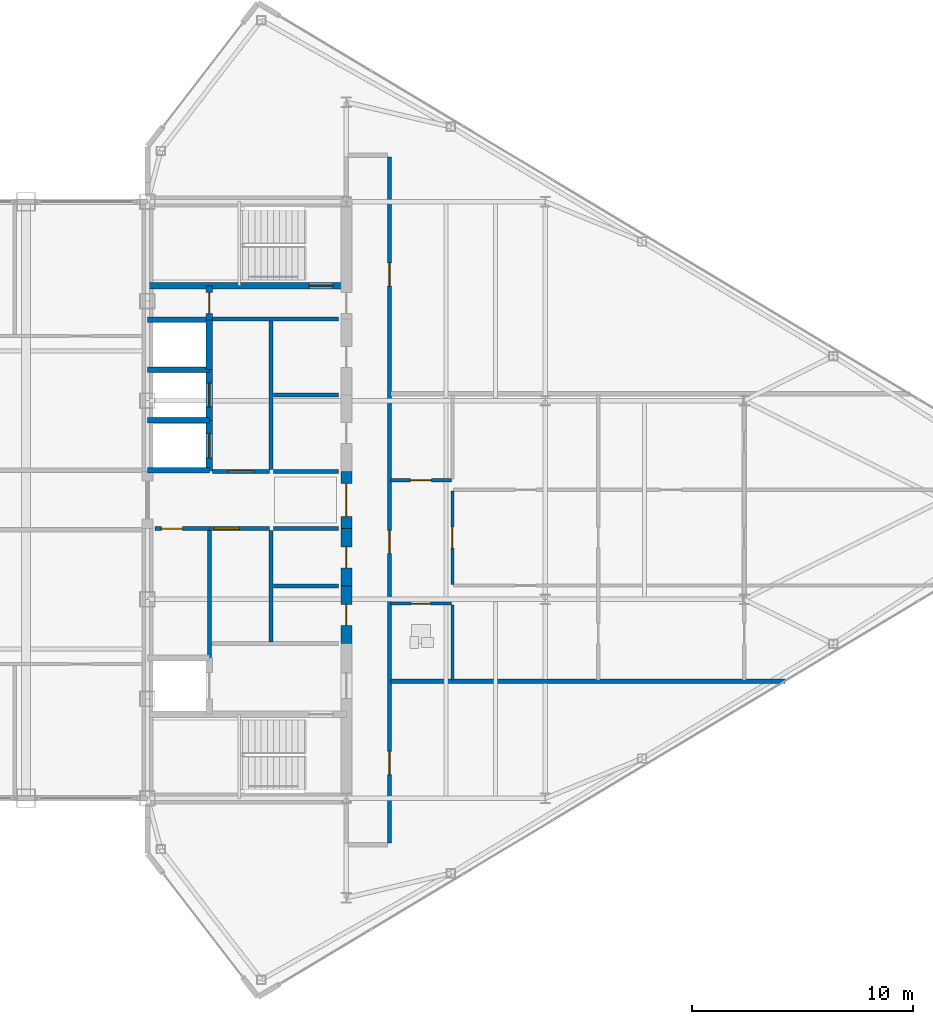
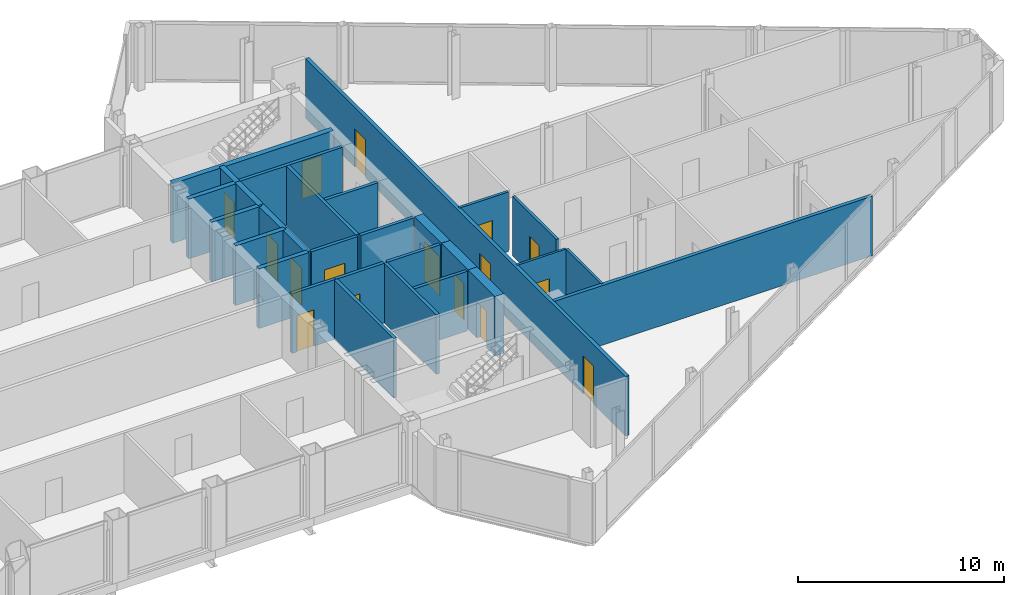
# One storey, part 25 of 29: 29 walls, 16 doors, 16 openings.
"""IFC4 building model written with IfcOpenShell, lengths in metres."""

from ifc_helpers import new_model, si_unit, direction, frame, frame_2d, origin, place, context, subcontext, project, spatial, rectangle, extrude, source, transform, mapped, material, layer, layer_set, type_object, type_shapes, element, fill, save


model = new_model("IFC4")

# Units and contexts
model_context = context("Model", 3, precision=1e-05, world=origin(), true_north=direction((0.0, 1.0)))
body_context = subcontext(model_context, "Body", "Model", "MODEL_VIEW")
ifc_project = project(units=[si_unit("LENGTHUNIT", "METRE"), si_unit("AREAUNIT", "SQUARE_METRE"), si_unit("VOLUMEUNIT", "CUBIC_METRE"), si_unit("PLANEANGLEUNIT", "RADIAN"), si_unit("MASSUNIT", "GRAM", prefix="KILO")], contexts=[model_context])

# Site, building, storey
site_placement = place(None, origin())
site = spatial("IfcSite", under=ifc_project, at=site_placement, CompositionType="ELEMENT")
building_placement = place(site_placement, origin())
building = spatial("IfcBuilding", under=site, at=building_placement, Name="Seokmaru Belvedere", CompositionType="ELEMENT")
storey_placement = place(building_placement, frame((0.0, 0.0, 254.39990234375)))
storey = spatial("IfcBuildingStorey", under=building, at=storey_placement, Name="L67", CompositionType="ELEMENT", Elevation=254.39990234375)

# Wall, opening, door
ifc_material_1 = material(Name="Fire-Rated Gypsum Shaftwall")
ifc_layer_1 = layer(ifc_material_1, 0.14990234375)
ifc_layer_set_1 = layer_set([ifc_layer_1], Name="Fire-Rated Gypsum Shaftwall")
wall_type_1 = type_object("IfcWallType", Name="Apartment Fire-Acoustic Room Partition 150", PredefinedType="PARTITIONING", material=ifc_layer_set_1)
wall_1_placement = place(storey_placement, frame((38.5, 0.89990234375, 0.0), z_axis=(0.0, 0.0, 1.0), x_axis=(1.0, 0.0, 0.0)))
wall_1 = element("IfcWall", 1, at=wall_1_placement, inside=storey, type_object=wall_type_1, Name="L67 Interior Partition 017", PredefinedType="PARTITIONING", context=body_context, shape_type="SweptSolid", body=[
    extrude(rectangle(XDim=2.75, YDim=0.14990234375, at=frame_2d((1.375, 0.0))), origin(), (0.0, 0.0, 1.0), 3.530029296875),
])
opening_1_placement = place(wall_1_placement, frame((0.89990234375, 0.0, 0.0)))
opening_1 = element("IfcOpeningElement", 2, at=opening_1_placement, cuts=wall_1, Name="Opening D05", PredefinedType="OPENING", context=body_context, shape_type="SweptSolid", body=[
    extrude(rectangle(XDim=0.949951171875, YDim=2.14990234375, at=frame_2d((0.47509765625, 1.074951171875))), frame((0.0, 0.0849609375, 0.0), z_axis=(0.0, -1.0, 0.0), x_axis=(1.0, 0.0, 0.0)), (0.0, 0.0, 1.0), 0.169921875),
])
ifc_material_2 = material(Name="Engineered White Oak Timber", Category="wood")
door_type_1 = type_object("IfcDoorType", Name="Apartment Interior Fire-Rated Oak Door 950x2150", OperationType="NOTDEFINED", PredefinedType="DOOR", material=ifc_material_2)
shared_shape_1 = source(origin(), body_context, "Body", "SweptSolid", [
    extrude(rectangle(XDim=0.949951171875, YDim=2.14990234375, at=frame_2d((0.47509765625, 1.074951171875))), frame((0.0, 0.02490234375, 0.0), z_axis=(0.0, -1.0, 0.0), x_axis=(1.0, 0.0, 0.0)), (0.0, 0.0, 1.0), 0.050048828125),
])
type_shapes(door_type_1, [shared_shape_1])
door_1_placement = place(opening_1_placement, origin())
door_1 = element("IfcDoor", 3, at=door_1_placement, inside=storey, type_object=door_type_1, Name="L67 Interior Door 015", OperationType="SINGLE_SWING_RIGHT", OverallHeight=2.14990234375, OverallWidth=0.949951171875, PredefinedType="DOOR", context=body_context, shape_type="MappedRepresentation", body=[
    mapped(shared_shape_1, transform((0.0, 0.0, 0.0), scale=1.0)),
])
fill(opening_1, door_1)

wall_2_placement = place(storey_placement, frame((41.300048828125, -3.81689453125, 0.0), z_axis=(0.0, 0.0, 1.0), x_axis=(0.0, 1.0, 0.0)))
wall_2 = element("IfcWall", 4, at=wall_2_placement, inside=storey, type_object=wall_type_1, Name="L67 Interior Partition 052", PredefinedType="PARTITIONING", context=body_context, shape_type="SweptSolid", body=[
    extrude(rectangle(XDim=4.23388671875, YDim=0.14990234375, at=frame_2d((2.116943359375, 0.0))), origin(), (0.0, 0.0, 1.0), 3.530029296875),
])
opening_2_placement = place(wall_2_placement, frame((1.64208984375, 0.0, 0.0)))
opening_2 = element("IfcOpeningElement", 5, at=opening_2_placement, cuts=wall_2, Name="Opening D05", PredefinedType="OPENING", context=body_context, shape_type="SweptSolid", body=[
    extrude(rectangle(XDim=0.949951171875, YDim=2.14990234375, at=frame_2d((0.47509765625, 1.074951171875))), frame((0.0, 0.0849609375, 0.0), z_axis=(0.0, -1.0, 0.0), x_axis=(1.0, 0.0, 0.0)), (0.0, 0.0, 1.0), 0.169921875),
])
door_2_placement = place(opening_2_placement, origin())
door_2 = element("IfcDoor", 6, at=door_2_placement, inside=storey, type_object=door_type_1, Name="L67 Interior Door 016", OperationType="SINGLE_SWING_LEFT", OverallHeight=2.14990234375, OverallWidth=0.949951171875, PredefinedType="DOOR", context=body_context, shape_type="MappedRepresentation", body=[
    mapped(shared_shape_1, transform((0.0, 0.0, 0.0), scale=1.0)),
])
fill(opening_2, door_2)

# Walls
ifc_layer_2 = layer(ifc_material_1, 0.179931640625)
ifc_layer_set_2 = layer_set([ifc_layer_2], Name="Fire-Rated Gypsum Shaftwall")
wall_type_2 = type_object("IfcWallType", Name="Core Service Fire Partition 180", PredefinedType="PARTITIONING", material=ifc_layer_set_2)
wall_3_placement = place(storey_placement, frame((30.449951171875, 8.199951171875, 0.0), z_axis=(0.0, 0.0, 1.0), x_axis=(1.0, 0.0, 0.0)))
element("IfcWall", 7, at=wall_3_placement, inside=storey, type_object=wall_type_2, Name="L67 East Smokeproof Vestibule Partition", PredefinedType="PARTITIONING", context=body_context, shape_type="SweptSolid", body=[
    extrude(rectangle(XDim=5.699951171875, YDim=0.179931640625, at=frame_2d((2.85009765625, 0.0))), origin(), (0.0, 0.0, 1.0), 3.530029296875),
])
wall_4_placement = place(storey_placement, frame((33.10009765625, -6.419921875, 0.0), z_axis=(0.0, 0.0, 1.0), x_axis=(0.0, 1.0, 0.0)))
element("IfcWall", 8, at=wall_4_placement, inside=storey, type_object=wall_type_2, Name="L67 East South Core Service Back Wall", PredefinedType="PARTITIONING", context=body_context, shape_type="SweptSolid", body=[
    extrude(rectangle(XDim=5.0400390625, YDim=0.179931640625, at=frame_2d((2.52001953125, 0.0))), origin(), (0.0, 0.0, 1.0), 3.530029296875),
])
wall_5_placement = place(storey_placement, frame((33.10009765625, 1.3798828125, 0.0), z_axis=(0.0, 0.0, 1.0), x_axis=(0.0, 1.0, 0.0)))
element("IfcWall", 9, at=wall_5_placement, inside=storey, type_object=wall_type_2, Name="L67 East North Core Service Back Wall", PredefinedType="PARTITIONING", context=body_context, shape_type="SweptSolid", body=[
    extrude(rectangle(XDim=6.740234375, YDim=0.179931640625, at=frame_2d((3.3701171875, 0.0))), origin(), (0.0, 0.0, 1.0), 3.530029296875),
])

# Wall, opening, door
wall_6_placement = place(storey_placement, frame((27.85009765625, -1.300048828125, 0.0), z_axis=(0.0, 0.0, 1.0), x_axis=(1.0, 0.0, 0.0)))
wall_6 = element("IfcWall", 10, at=wall_6_placement, inside=storey, type_object=wall_type_2, Name="L67 East South Parcel Vault Foyer Wall", PredefinedType="PARTITIONING", context=body_context, shape_type="SweptSolid", body=[
    extrude(rectangle(XDim=2.449951171875, YDim=0.179931640625, at=frame_2d((1.22509765625, 0.0))), origin(), (0.0, 0.0, 1.0), 3.530029296875),
])
opening_3_placement = place(wall_6_placement, frame((0.27490234375, 0.0, 0.0)))
opening_3 = element("IfcOpeningElement", 11, at=opening_3_placement, cuts=wall_6, Name="Opening D04", PredefinedType="OPENING", context=body_context, shape_type="SweptSolid", body=[
    extrude(rectangle(XDim=0.949951171875, YDim=2.14990234375, at=frame_2d((0.47509765625, 1.074951171875))), frame((0.0, 0.10009765625, 0.0), z_axis=(0.0, -1.0, 0.0), x_axis=(1.0, 0.0, 0.0)), (0.0, 0.0, 1.0), 0.199951171875),
])
ifc_material_3 = material(Name="Fire-Rated Steel Leaf", Category="steel")
door_type_2 = type_object("IfcDoorType", Name="Core Service Room Fire Door 950x2150", OperationType="NOTDEFINED", PredefinedType="DOOR", material=ifc_material_3)
shared_shape_2 = source(origin(), body_context, "Body", "SweptSolid", [
    extrude(rectangle(XDim=0.949951171875, YDim=2.14990234375, at=frame_2d((0.47509765625, 1.074951171875))), frame((0.0, 0.02490234375, 0.0), z_axis=(0.0, -1.0, 0.0), x_axis=(1.0, 0.0, 0.0)), (0.0, 0.0, 1.0), 0.050048828125),
])
type_shapes(door_type_2, [shared_shape_2])
door_3_placement = place(opening_3_placement, origin())
door_3 = element("IfcDoor", 12, at=door_3_placement, inside=storey, type_object=door_type_2, Name="L67 East South Parcel Vault Door", OperationType="SINGLE_SWING_RIGHT", OverallHeight=2.14990234375, OverallWidth=0.949951171875, PredefinedType="DOOR", context=body_context, shape_type="MappedRepresentation", body=[
    mapped(shared_shape_2, transform((0.0, 0.0, 0.0), scale=1.0)),
])
fill(opening_3, door_3)

wall_7_placement = place(storey_placement, frame((30.300048828125, -1.300048828125, 0.0), z_axis=(0.0, 0.0, 1.0), x_axis=(1.0, 0.0, 0.0)))
wall_7 = element("IfcWall", 13, at=wall_7_placement, inside=storey, type_object=wall_type_2, Name="L67 East South Wine Cellar Foyer Wall", PredefinedType="PARTITIONING", context=body_context, shape_type="SweptSolid", body=[
    extrude(rectangle(XDim=2.719970703125, YDim=0.179931640625, at=frame_2d((1.35986328125, 0.0))), origin(), (0.0, 0.0, 1.0), 3.530029296875),
])
opening_4_placement = place(wall_7_placement, frame((0.2099609375, 0.0, 0.0)))
opening_4 = element("IfcOpeningElement", 14, at=opening_4_placement, cuts=wall_7, Name="Opening D02", PredefinedType="OPENING", context=body_context, shape_type="SweptSolid", body=[
    extrude(rectangle(XDim=1.14990234375, YDim=2.199951171875, at=frame_2d((0.574951171875, 1.10009765625))), frame((0.0, 0.10009765625, 0.0), z_axis=(0.0, -1.0, 0.0), x_axis=(1.0, 0.0, 0.0)), (0.0, 0.0, 1.0), 0.199951171875),
])
door_type_3 = type_object("IfcDoorType", Name="Lobby and Vestibule Fire Door 1150x2200", OperationType="NOTDEFINED", PredefinedType="DOOR", material=ifc_material_3)
shared_shape_3 = source(origin(), body_context, "Body", "SweptSolid", [
    extrude(rectangle(XDim=1.14990234375, YDim=2.199951171875, at=frame_2d((0.574951171875, 1.10009765625))), frame((0.0, 0.02490234375, 0.0), z_axis=(0.0, -1.0, 0.0), x_axis=(1.0, 0.0, 0.0)), (0.0, 0.0, 1.0), 0.050048828125),
])
type_shapes(door_type_3, [shared_shape_3])
door_4_placement = place(opening_4_placement, origin())
door_4 = element("IfcDoor", 15, at=door_4_placement, inside=storey, type_object=door_type_3, Name="L67 East South Core Foyer Door", OperationType="SINGLE_SWING_RIGHT", OverallHeight=2.199951171875, OverallWidth=1.14990234375, PredefinedType="DOOR", context=body_context, shape_type="MappedRepresentation", body=[
    mapped(shared_shape_3, transform((0.0, 0.0, 0.0), scale=1.0)),
])
fill(opening_4, door_4)

# Wall
wall_8_placement = place(storey_placement, frame((30.300048828125, -7.1201171875, 0.0), z_axis=(0.0, 0.0, 1.0), x_axis=(0.0, 1.0, 0.0)))
element("IfcWall", 16, at=wall_8_placement, inside=storey, type_object=wall_type_2, Name="L67 East Freed Shaft Vault Partition", PredefinedType="PARTITIONING", context=body_context, shape_type="SweptSolid", body=[
    extrude(rectangle(XDim=5.740234375, YDim=0.179931640625, at=frame_2d((2.8701171875, 0.0))), origin(), (0.0, 0.0, 1.0), 3.530029296875),
])

# Wall, opening, door
wall_9_placement = place(storey_placement, frame((30.449951171875, 1.300048828125, 0.0), z_axis=(0.0, 0.0, 1.0), x_axis=(1.0, 0.0, 0.0)))
wall_9 = element("IfcWall", 17, at=wall_9_placement, inside=storey, type_object=wall_type_2, Name="L67 East North Lift Lobby Foyer Wall", PredefinedType="PARTITIONING", context=body_context, shape_type="SweptSolid", body=[
    extrude(rectangle(XDim=2.570068359375, YDim=0.179931640625, at=frame_2d((1.28515625, 0.0))), origin(), (0.0, 0.0, 1.0), 3.530029296875),
])
opening_5_placement = place(wall_9_placement, frame((0.7099609375, 0.0, 0.0)))
opening_5 = element("IfcOpeningElement", 18, at=opening_5_placement, cuts=wall_9, Name="Opening D02", PredefinedType="OPENING", context=body_context, shape_type="SweptSolid", body=[
    extrude(rectangle(XDim=1.14990234375, YDim=2.199951171875, at=frame_2d((0.574951171875, 1.10009765625))), frame((0.0, 0.10009765625, 0.0), z_axis=(0.0, -1.0, 0.0), x_axis=(1.0, 0.0, 0.0)), (0.0, 0.0, 1.0), 0.199951171875),
])
door_5_placement = place(opening_5_placement, origin())
door_5 = element("IfcDoor", 19, at=door_5_placement, inside=storey, type_object=door_type_3, Name="L67 East North Lift Lobby Door", OperationType="SINGLE_SWING_LEFT", OverallHeight=2.199951171875, OverallWidth=1.14990234375, PredefinedType="DOOR", context=body_context, shape_type="MappedRepresentation", body=[
    mapped(shared_shape_3, transform((0.0, 0.0, 0.0), scale=1.0)),
])
fill(opening_5, door_5)

# Walls
for number, where, z_axis, x_axis, name in (
    (20, (33.199951171875, -1.300048828125, 0.0), (0.0, 0.0, 1.0), (1.0, 0.0, 0.0), "L67 East Foyer Side Wall S"),
    (21, (33.199951171875, 1.300048828125, 0.0), (0.0, 0.0, 1.0), (1.0, 0.0, 0.0), "L67 East Foyer Side Wall N"),
    (22, (33.199951171875, -3.89990234375, 0.0), (0.0, 0.0, 1.0), (1.0, 0.0, 0.0), "L67 East Core Service Partition 1"),
    (23, (33.199951171875, 4.75, 0.0), (0.0, 0.0, 1.0), (1.0, 0.0, 0.0), "L67 East Core Service Partition 2"),
):
    element("IfcWall", number, at=place(storey_placement, frame(where, z_axis=z_axis, x_axis=x_axis)), inside=storey, type_object=wall_type_2, Name=name, PredefinedType="PARTITIONING", context=body_context, shape_type="SweptSolid", body=[
        extrude(rectangle(XDim=2.949951171875, YDim=0.179931640625, at=frame_2d((1.47509765625, 0.0))), origin(), (0.0, 0.0, 1.0), 3.530029296875),
    ])
ifc_material_4 = material(Name="Concrete C50 (50 MPa)", Category="concrete")
ifc_layer_3 = layer(ifc_material_4, 0.25)
ifc_layer_set_3 = layer_set([ifc_layer_3], Name="Concrete C50 (50 MPa)")
wall_type_3 = type_object("IfcWallType", Name="Hoistway Transverse Concrete Divider Wall 250", PredefinedType="SHEAR", material=ifc_layer_set_3)
for number, where, z_axis, x_axis, name in (
    (24, (27.5, 1.35009765625, 0.0), (0.0, 0.0, 1.0), (1.0, 0.0, 0.0), "L67 East Hoistway Divider Core Wall 2"),
    (25, (27.5, 3.60009765625, 0.0), (0.0, 0.0, 1.0), (1.0, 0.0, 0.0), "L67 East Hoistway Divider Core Wall 3"),
    (26, (27.5, 5.89990234375, 0.0), (0.0, 0.0, 1.0), (1.0, 0.0, 0.0), "L67 East Hoistway Divider Core Wall 4"),
    (27, (27.5, 8.14990234375, 0.0), (0.0, 0.0, 1.0), (1.0, 0.0, 0.0), "L67 East Hoistway Divider Core Wall 5"),
):
    element("IfcWall", number, at=place(storey_placement, frame(where, z_axis=z_axis, x_axis=x_axis)), inside=storey, type_object=wall_type_3, Name=name, PredefinedType="SHEAR", context=body_context, shape_type="SweptSolid", body=[
        extrude(rectangle(XDim=2.800048828125, YDim=0.25, at=frame_2d((1.39990234375, 0.0))), origin(), (0.0, 0.0, 1.0), 3.530029296875),
    ])
ifc_layer_4 = layer(ifc_material_1, 0.199951171875)
ifc_layer_set_4 = layer_set([ifc_layer_4], Name="Fire-Rated Gypsum Shaftwall")
wall_type_4 = type_object("IfcWallType", Name="Inter-Tenancy Fire Compartment Partition 200", PredefinedType="PARTITIONING", material=ifc_layer_set_4)
wall_10_placement = place(storey_placement, frame((38.530029296875, -8.199951171875, 0.0), z_axis=(0.0, 0.0, 1.0), x_axis=(1.0, 0.0, 0.0)))
element("IfcWall", 28, at=wall_10_placement, inside=storey, type_object=wall_type_4, Name="L67 Interior Partition 004", PredefinedType="PARTITIONING", context=body_context, shape_type="SweptSolid", body=[
    extrude(rectangle(XDim=17.81298828125, YDim=0.199951171875, at=frame_2d((8.906494140625, 0.0))), origin(), (0.0, 0.0, 1.0), 3.530029296875),
])

# Wall, openings, doors
wall_11_placement = place(storey_placement, frame((38.449951171875, -15.514892578125, 0.0), z_axis=(0.0, 0.0, 1.0), x_axis=(0.0, 1.0, 0.0)))
wall_11 = element("IfcWall", 29, at=wall_11_placement, inside=storey, type_object=wall_type_4, Name="L67 Interior Partition 050", PredefinedType="PARTITIONING", context=body_context, shape_type="SweptSolid", body=[
    extrude(rectangle(XDim=31.02978515625, YDim=0.199951171875, at=frame_2d((15.514892578125, 0.0))), origin(), (0.0, 0.0, 1.0), 3.530029296875),
])
opening_6_placement = place(wall_11_placement, frame((3.090087890625, 0.0, 0.0)))
opening_6 = element("IfcOpeningElement", 30, at=opening_6_placement, cuts=wall_11, Name="Opening D03", PredefinedType="OPENING", context=body_context, shape_type="SweptSolid", body=[
    extrude(rectangle(XDim=1.050048828125, YDim=2.25, at=frame_2d((0.52490234375, 1.125))), frame((0.0, 0.10986328125, 0.0), z_axis=(0.0, -1.0, 0.0), x_axis=(1.0, 0.0, 0.0)), (0.0, 0.0, 1.0), 0.219970703125),
])
opening_7_placement = place(wall_11_placement, frame((13.094970703125, 0.0, 0.0)))
opening_7 = element("IfcOpeningElement", 31, at=opening_7_placement, cuts=wall_11, Name="Opening D03", PredefinedType="OPENING", context=body_context, shape_type="SweptSolid", body=[
    extrude(rectangle(XDim=1.050048828125, YDim=2.25, at=frame_2d((0.52490234375, 1.125))), frame((0.0, 0.10986328125, 0.0), z_axis=(0.0, -1.0, 0.0), x_axis=(1.0, 0.0, 0.0)), (0.0, 0.0, 1.0), 0.219970703125),
])
opening_8_placement = place(wall_11_placement, frame((25.18994140625, 0.0, 0.0)))
opening_8 = element("IfcOpeningElement", 32, at=opening_8_placement, cuts=wall_11, Name="Opening D03", PredefinedType="OPENING", context=body_context, shape_type="SweptSolid", body=[
    extrude(rectangle(XDim=1.050048828125, YDim=2.25, at=frame_2d((0.52490234375, 1.125))), frame((0.0, 0.10986328125, 0.0), z_axis=(0.0, -1.0, 0.0), x_axis=(1.0, 0.0, 0.0)), (0.0, 0.0, 1.0), 0.219970703125),
])
door_type_4 = type_object("IfcDoorType", Name="Apartment Entrance Fire Door 1050x2250", OperationType="NOTDEFINED", PredefinedType="DOOR", material=ifc_material_3)
shared_shape_4 = source(origin(), body_context, "Body", "SweptSolid", [
    extrude(rectangle(XDim=1.050048828125, YDim=2.25, at=frame_2d((0.52490234375, 1.125))), frame((0.0, 0.02490234375, 0.0), z_axis=(0.0, -1.0, 0.0), x_axis=(1.0, 0.0, 0.0)), (0.0, 0.0, 1.0), 0.050048828125),
])
type_shapes(door_type_4, [shared_shape_4])
door_6_placement = place(opening_6_placement, origin())
door_6 = element("IfcDoor", 33, at=door_6_placement, inside=storey, type_object=door_type_4, Name="L67 Interior Door 012", OperationType="SINGLE_SWING_LEFT", OverallHeight=2.25, OverallWidth=1.050048828125, PredefinedType="DOOR", context=body_context, shape_type="MappedRepresentation", body=[
    mapped(shared_shape_4, transform((0.0, 0.0, 0.0), scale=1.0)),
])
fill(opening_6, door_6)
door_7_placement = place(opening_7_placement, origin())
door_7 = element("IfcDoor", 34, at=door_7_placement, inside=storey, type_object=door_type_4, Name="L67 Interior Door 013", OperationType="SINGLE_SWING_RIGHT", OverallHeight=2.25, OverallWidth=1.050048828125, PredefinedType="DOOR", context=body_context, shape_type="MappedRepresentation", body=[
    mapped(shared_shape_4, transform((0.0, 0.0, 0.0), scale=1.0)),
])
fill(opening_7, door_7)
door_8_placement = place(opening_8_placement, origin())
door_8 = element("IfcDoor", 35, at=door_8_placement, inside=storey, type_object=door_type_4, Name="L67 Interior Door 025", OperationType="SINGLE_SWING_LEFT", OverallHeight=2.25, OverallWidth=1.050048828125, PredefinedType="DOOR", context=body_context, shape_type="MappedRepresentation", body=[
    mapped(shared_shape_4, transform((0.0, 0.0, 0.0), scale=1.0)),
])
fill(opening_8, door_8)

# Wall, opening, door
ifc_layer_5 = layer(ifc_material_4, 0.300048828125)
ifc_layer_set_5 = layer_set([ifc_layer_5], Name="Concrete C50 (50 MPa)")
wall_type_5 = type_object("IfcWallType", Name="Internal Core Stair and Hoistway Wall 300", PredefinedType="SHEAR", material=ifc_layer_set_5)
wall_12_placement = place(storey_placement, frame((27.5, 9.699951171875, 0.0), z_axis=(0.0, 0.0, 1.0), x_axis=(1.0, 0.0, 0.0)))
wall_12 = element("IfcWall", 36, at=wall_12_placement, inside=storey, type_object=wall_type_5, Name="L67 East Stair ST-2 Enclosure Wall", PredefinedType="SHEAR", context=body_context, shape_type="SweptSolid", body=[
    extrude(rectangle(XDim=9.0, YDim=0.300048828125, at=frame_2d((4.5, 0.0))), origin(), (0.0, 0.0, 1.0), 3.530029296875),
])
opening_9_placement = place(wall_12_placement, frame((7.300048828125, 0.0, 0.0)))
opening_9 = element("IfcOpeningElement", 37, at=opening_9_placement, cuts=wall_12, Name="Opening D01", PredefinedType="OPENING", context=body_context, shape_type="SweptSolid", body=[
    extrude(rectangle(XDim=1.10009765625, YDim=2.199951171875, at=frame_2d((0.550048828125, 1.10009765625))), frame((0.0, 0.16015625, 0.0), z_axis=(0.0, -1.0, 0.0), x_axis=(1.0, 0.0, 0.0)), (0.0, 0.0, 1.0), 0.320068359375),
])
door_type_5 = type_object("IfcDoorType", Name="Special Escape Stair Smokeproof Fire Door 1100x2200", OperationType="NOTDEFINED", PredefinedType="DOOR", material=ifc_material_3)
shared_shape_5 = source(origin(), body_context, "Body", "SweptSolid", [
    extrude(rectangle(XDim=1.10009765625, YDim=2.199951171875, at=frame_2d((0.550048828125, 1.10009765625))), frame((0.0, 0.02490234375, 0.0), z_axis=(0.0, -1.0, 0.0), x_axis=(1.0, 0.0, 0.0)), (0.0, 0.0, 1.0), 0.050048828125),
])
type_shapes(door_type_5, [shared_shape_5])
door_9_placement = place(opening_9_placement, origin())
door_9 = element("IfcDoor", 38, at=door_9_placement, inside=storey, type_object=door_type_5, Name="L67 East Special Escape Stair ST-2 Door", OperationType="SINGLE_SWING_LEFT", OverallHeight=2.199951171875, OverallWidth=1.10009765625, PredefinedType="DOOR", context=body_context, shape_type="MappedRepresentation", body=[
    mapped(shared_shape_5, transform((0.0, 0.0, 0.0), scale=1.0)),
])
fill(opening_9, door_9)

wall_13_placement = place(storey_placement, frame((30.300048828125, 1.320068359375, 0.0), z_axis=(0.0, 0.0, 1.0), x_axis=(0.0, 1.0, 0.0)))
wall_13 = element("IfcWall", 39, at=wall_13_placement, inside=storey, type_object=wall_type_5, Name="L67 East North Hoistway Wall PH1", PredefinedType="SHEAR", context=body_context, shape_type="SweptSolid", body=[
    extrude(rectangle(XDim=2.280029296875, YDim=0.300048828125, at=frame_2d((1.14013671875, 0.0))), origin(), (0.0, 0.0, 1.0), 3.530029296875),
])
opening_10_placement = place(wall_13_placement, frame((0.590087890625, 0.0, 0.0)))
opening_10 = element("IfcOpeningElement", 40, at=opening_10_placement, cuts=wall_13, Name="Opening LD1", PredefinedType="OPENING", context=body_context, shape_type="SweptSolid", body=[
    extrude(rectangle(XDim=1.10009765625, YDim=2.199951171875, at=frame_2d((0.550048828125, 1.10009765625))), frame((0.0, 0.16015625, 0.0), z_axis=(0.0, -1.0, 0.0), x_axis=(1.0, 0.0, 0.0)), (0.0, 0.0, 1.0), 0.320068359375),
])
ifc_material_5 = material(Name="Stainless Steel 316", Category="steel")
door_type_6 = type_object("IfcDoorType", Name="Passenger Lift Sliding Landing Door 1100x2200", OperationType="DOUBLE_DOOR_SLIDING", PredefinedType="DOOR", material=ifc_material_5)
shared_shape_6 = source(origin(), body_context, "Body", "SweptSolid", [
    extrude(rectangle(XDim=1.10009765625, YDim=2.199951171875, at=frame_2d((0.550048828125, 1.10009765625))), frame((0.0, 0.02490234375, 0.0), z_axis=(0.0, -1.0, 0.0), x_axis=(1.0, 0.0, 0.0)), (0.0, 0.0, 1.0), 0.050048828125),
])
type_shapes(door_type_6, [shared_shape_6])
door_10_placement = place(opening_10_placement, origin())
door_10 = element("IfcDoor", 41, at=door_10_placement, inside=storey, type_object=door_type_6, Name="L67 East High-Rise Lift PH-1 Landing Door", OperationType="DOUBLE_DOOR_SLIDING", OverallHeight=2.199951171875, OverallWidth=1.10009765625, PredefinedType="DOOR", context=body_context, shape_type="MappedRepresentation", body=[
    mapped(shared_shape_6, transform((0.0, 0.0, 0.0), scale=1.0)),
])
fill(opening_10, door_10)

wall_14_placement = place(storey_placement, frame((30.300048828125, 3.60009765625, 0.0), z_axis=(0.0, 0.0, 1.0), x_axis=(0.0, 1.0, 0.0)))
wall_14 = element("IfcWall", 42, at=wall_14_placement, inside=storey, type_object=wall_type_5, Name="L67 East North Hoistway Wall PH2", PredefinedType="SHEAR", context=body_context, shape_type="SweptSolid", body=[
    extrude(rectangle(XDim=2.2998046875, YDim=0.300048828125, at=frame_2d((1.14990234375, 0.0))), origin(), (0.0, 0.0, 1.0), 3.530029296875),
])
opening_11_placement = place(wall_14_placement, frame((0.60009765625, 0.0, 0.0)))
opening_11 = element("IfcOpeningElement", 43, at=opening_11_placement, cuts=wall_14, Name="Opening LD1", PredefinedType="OPENING", context=body_context, shape_type="SweptSolid", body=[
    extrude(rectangle(XDim=1.10009765625, YDim=2.199951171875, at=frame_2d((0.550048828125, 1.10009765625))), frame((0.0, 0.16015625, 0.0), z_axis=(0.0, -1.0, 0.0), x_axis=(1.0, 0.0, 0.0)), (0.0, 0.0, 1.0), 0.320068359375),
])
door_11_placement = place(opening_11_placement, origin())
door_11 = element("IfcDoor", 44, at=door_11_placement, inside=storey, type_object=door_type_6, Name="L67 East High-Rise Lift PH-2 Landing Door", OperationType="DOUBLE_DOOR_SLIDING", OverallHeight=2.199951171875, OverallWidth=1.10009765625, PredefinedType="DOOR", context=body_context, shape_type="MappedRepresentation", body=[
    mapped(shared_shape_6, transform((0.0, 0.0, 0.0), scale=1.0)),
])
fill(opening_11, door_11)

# Wall
wall_15_placement = place(storey_placement, frame((30.300048828125, 5.89990234375, 0.0), z_axis=(0.0, 0.0, 1.0), x_axis=(0.0, 1.0, 0.0)))
element("IfcWall", 45, at=wall_15_placement, inside=storey, type_object=wall_type_5, Name="L67 East North Hoistway Wall OBS", PredefinedType="SHEAR", context=body_context, shape_type="SweptSolid", body=[
    extrude(rectangle(XDim=2.25, YDim=0.300048828125, at=frame_2d((1.125, 0.0))), origin(), (0.0, 0.0, 1.0), 3.530029296875),
])

# Wall, opening, door
wall_16_placement = place(storey_placement, frame((30.300048828125, 8.14990234375, 0.0), z_axis=(0.0, 0.0, 1.0), x_axis=(0.0, 1.0, 0.0)))
wall_16 = element("IfcWall", 46, at=wall_16_placement, inside=storey, type_object=wall_type_5, Name="L67 East Electrical Riser Front Wall", PredefinedType="SHEAR", context=body_context, shape_type="SweptSolid", body=[
    extrude(rectangle(XDim=1.530029296875, YDim=0.300048828125, at=frame_2d((0.76513671875, 0.0))), origin(), (0.0, 0.0, 1.0), 3.530029296875),
])
opening_12_placement = place(wall_16_placement, frame((0.284912109375, 0.0, 0.0)))
opening_12 = element("IfcOpeningElement", 47, at=opening_12_placement, cuts=wall_16, Name="Opening D04", PredefinedType="OPENING", context=body_context, shape_type="SweptSolid", body=[
    extrude(rectangle(XDim=0.949951171875, YDim=2.14990234375, at=frame_2d((0.47509765625, 1.074951171875))), frame((0.0, 0.16015625, 0.0), z_axis=(0.0, -1.0, 0.0), x_axis=(1.0, 0.0, 0.0)), (0.0, 0.0, 1.0), 0.320068359375),
])
door_12_placement = place(opening_12_placement, origin())
door_12 = element("IfcDoor", 48, at=door_12_placement, inside=storey, type_object=door_type_2, Name="L67 East Electrical Riser Access Door", OperationType="SINGLE_SWING_RIGHT", OverallHeight=2.14990234375, OverallWidth=0.949951171875, PredefinedType="DOOR", context=body_context, shape_type="MappedRepresentation", body=[
    mapped(shared_shape_2, transform((0.0, 0.0, 0.0), scale=1.0)),
])
fill(opening_12, door_12)

ifc_layer_6 = layer(ifc_material_1, 0.1298828125)
ifc_layer_set_6 = layer_set([ifc_layer_6], Name="Fire-Rated Gypsum Shaftwall")
wall_type_6 = type_object("IfcWallType", Name="Moisture-Resistant Fire-Rated Bathroom Partition 130", PredefinedType="PARTITIONING", material=ifc_layer_set_6)
wall_17_placement = place(storey_placement, frame((38.5, -4.68994140625, 0.0), z_axis=(0.0, 0.0, 1.0), x_axis=(1.0, 0.0, 0.0)))
wall_17 = element("IfcWall", 49, at=wall_17_placement, inside=storey, type_object=wall_type_6, Name="L67 Interior Partition 010", PredefinedType="PARTITIONING", context=body_context, shape_type="SweptSolid", body=[
    extrude(rectangle(XDim=2.75, YDim=0.1298828125, at=frame_2d((1.375, 0.0))), origin(), (0.0, 0.0, 1.0), 3.530029296875),
])
opening_13_placement = place(wall_17_placement, frame((0.93505859375, 0.0, 0.0)))
opening_13 = element("IfcOpeningElement", 50, at=opening_13_placement, cuts=wall_17, Name="Opening D06", PredefinedType="OPENING", context=body_context, shape_type="SweptSolid", body=[
    extrude(rectangle(XDim=0.8798828125, YDim=2.10009765625, at=frame_2d((0.43994140625, 1.050048828125))), frame((0.0, 0.074951171875, 0.0), z_axis=(0.0, -1.0, 0.0), x_axis=(1.0, 0.0, 0.0)), (0.0, 0.0, 1.0), 0.14990234375),
])
door_type_7 = type_object("IfcDoorType", Name="Bathroom and Restroom Fire-Rated Door 880x2100", OperationType="NOTDEFINED", PredefinedType="DOOR", material=ifc_material_2)
shared_shape_7 = source(origin(), body_context, "Body", "SweptSolid", [
    extrude(rectangle(XDim=0.8798828125, YDim=2.10009765625, at=frame_2d((0.43994140625, 1.050048828125))), frame((0.0, 0.02490234375, 0.0), z_axis=(0.0, -1.0, 0.0), x_axis=(1.0, 0.0, 0.0)), (0.0, 0.0, 1.0), 0.050048828125),
])
type_shapes(door_type_7, [shared_shape_7])
door_13_placement = place(opening_13_placement, origin())
door_13 = element("IfcDoor", 51, at=door_13_placement, inside=storey, type_object=door_type_7, Name="L67 Interior Door 014", OperationType="SINGLE_SWING_RIGHT", OverallHeight=2.10009765625, OverallWidth=0.8798828125, PredefinedType="DOOR", context=body_context, shape_type="MappedRepresentation", body=[
    mapped(shared_shape_7, transform((0.0, 0.0, 0.0), scale=1.0)),
])
fill(opening_13, door_13)

# Wall
wall_18_placement = place(storey_placement, frame((41.300048828125, -8.14990234375, 0.0), z_axis=(0.0, 0.0, 1.0), x_axis=(0.0, 1.0, 0.0)))
element("IfcWall", 52, at=wall_18_placement, inside=storey, type_object=wall_type_6, Name="L67 Interior Partition 051", PredefinedType="PARTITIONING", context=body_context, shape_type="SweptSolid", body=[
    extrude(rectangle(XDim=3.407958984375, YDim=0.1298828125, at=frame_2d((1.7041015625, 0.0))), origin(), (0.0, 0.0, 1.0), 3.530029296875),
])

# Wall, opening, door
ifc_layer_7 = layer(ifc_material_4, 0.5)
ifc_layer_set_7 = layer_set([ifc_layer_7], Name="Concrete C50 (50 MPa)")
wall_type_7 = type_object("IfcWallType", Name="Upper Tower Reinforced Concrete Core Wall 500", PredefinedType="SHEAR", material=ifc_layer_set_7)
wall_19_placement = place(storey_placement, frame((36.5, -1.300048828125, 0.0), z_axis=(0.0, 0.0, 1.0), x_axis=(0.0, 1.0, 0.0)))
wall_19 = element("IfcWall", 53, at=wall_19_placement, inside=storey, type_object=wall_type_7, Name="L67 East West Core Wall FOY", PredefinedType="SHEAR", context=body_context, shape_type="SweptSolid", body=[
    extrude(rectangle(XDim=2.60009765625, YDim=0.5, at=frame_2d((1.300048828125, 0.0))), origin(), (0.0, 0.0, 1.0), 3.530029296875),
])
opening_14_placement = place(wall_19_placement, frame((0.550048828125, 0.0, 0.0)))
opening_14 = element("IfcOpeningElement", 54, at=opening_14_placement, cuts=wall_19, Name="Opening D08", PredefinedType="OPENING", context=body_context, shape_type="SweptSolid", body=[
    extrude(rectangle(XDim=1.5, YDim=2.300048828125, at=frame_2d((0.75, 1.14990234375))), frame((0.0, 0.260009765625, 0.0), z_axis=(0.0, -1.0, 0.0), x_axis=(1.0, 0.0, 0.0)), (0.0, 0.0, 1.0), 0.52001953125),
])
door_type_8 = type_object("IfcDoorType", Name="Cross-Corridor Compartment Double Fire Door 1500x2300", OperationType="DOUBLE_SWING_LEFT", PredefinedType="DOOR", material=ifc_material_3)
shared_shape_8 = source(origin(), body_context, "Body", "SweptSolid", [
    extrude(rectangle(XDim=1.5, YDim=2.300048828125, at=frame_2d((0.75, 1.14990234375))), frame((0.0, 0.02490234375, 0.0), z_axis=(0.0, -1.0, 0.0), x_axis=(1.0, 0.0, 0.0)), (0.0, 0.0, 1.0), 0.050048828125),
])
type_shapes(door_type_8, [shared_shape_8])
door_14_placement = place(opening_14_placement, origin())
door_14 = element("IfcDoor", 55, at=door_14_placement, inside=storey, type_object=door_type_8, Name="L67 East Core Foyer Compartment Door", OperationType="DOUBLE_SWING_LEFT", OverallHeight=2.300048828125, OverallWidth=1.5, PredefinedType="DOOR", context=body_context, shape_type="MappedRepresentation", body=[
    mapped(shared_shape_8, transform((0.0, 0.0, 0.0), scale=1.0)),
])
fill(opening_14, door_14)

wall_20_placement = place(storey_placement, frame((36.5, -6.5, 0.0), z_axis=(0.0, 0.0, 1.0), x_axis=(0.0, 1.0, 0.0)))
wall_20 = element("IfcWall", 56, at=wall_20_placement, inside=storey, type_object=wall_type_7, Name="L67 East West Core Wall CS1", PredefinedType="SHEAR", context=body_context, shape_type="SweptSolid", body=[
    extrude(rectangle(XDim=2.60009765625, YDim=0.5, at=frame_2d((1.300048828125, 0.0))), origin(), (0.0, 0.0, 1.0), 3.530029296875),
])
opening_15_placement = place(wall_20_placement, frame((0.824951171875, 0.0, 0.0)))
opening_15 = element("IfcOpeningElement", 57, at=opening_15_placement, cuts=wall_20, Name="Opening D04", PredefinedType="OPENING", context=body_context, shape_type="SweptSolid", body=[
    extrude(rectangle(XDim=0.949951171875, YDim=2.14990234375, at=frame_2d((0.47509765625, 1.074951171875))), frame((0.0, 0.260009765625, 0.0), z_axis=(0.0, -1.0, 0.0), x_axis=(1.0, 0.0, 0.0)), (0.0, 0.0, 1.0), 0.52001953125),
])
door_15_placement = place(opening_15_placement, origin())
door_15 = element("IfcDoor", 58, at=door_15_placement, inside=storey, type_object=door_type_2, Name="L67 East Core Service Room Door 1", OperationType="SINGLE_SWING_RIGHT", OverallHeight=2.14990234375, OverallWidth=0.949951171875, PredefinedType="DOOR", context=body_context, shape_type="MappedRepresentation", body=[
    mapped(shared_shape_2, transform((0.0, 0.0, 0.0), scale=1.0)),
])
fill(opening_15, door_15)

wall_21_placement = place(storey_placement, frame((36.5, -3.89990234375, 0.0), z_axis=(0.0, 0.0, 1.0), x_axis=(0.0, 1.0, 0.0)))
wall_21 = element("IfcWall", 59, at=wall_21_placement, inside=storey, type_object=wall_type_7, Name="L67 East West Core Wall CS2", PredefinedType="SHEAR", context=body_context, shape_type="SweptSolid", body=[
    extrude(rectangle(XDim=2.599853515625, YDim=0.5, at=frame_2d((1.2998046875, 0.0))), origin(), (0.0, 0.0, 1.0), 3.530029296875),
])
opening_16_placement = place(wall_21_placement, frame((0.824951171875, 0.0, 0.0)))
opening_16 = element("IfcOpeningElement", 60, at=opening_16_placement, cuts=wall_21, Name="Opening D04", PredefinedType="OPENING", context=body_context, shape_type="SweptSolid", body=[
    extrude(rectangle(XDim=0.949951171875, YDim=2.14990234375, at=frame_2d((0.47509765625, 1.074951171875))), frame((0.0, 0.260009765625, 0.0), z_axis=(0.0, -1.0, 0.0), x_axis=(1.0, 0.0, 0.0)), (0.0, 0.0, 1.0), 0.52001953125),
])
door_16_placement = place(opening_16_placement, origin())
door_16 = element("IfcDoor", 61, at=door_16_placement, inside=storey, type_object=door_type_2, Name="L67 East Core Service Room Door 2", OperationType="SINGLE_SWING_LEFT", OverallHeight=2.14990234375, OverallWidth=0.949951171875, PredefinedType="DOOR", context=body_context, shape_type="MappedRepresentation", body=[
    mapped(shared_shape_2, transform((0.0, 0.0, 0.0), scale=1.0)),
])
fill(opening_16, door_16)

save(model, "model.ifc")
